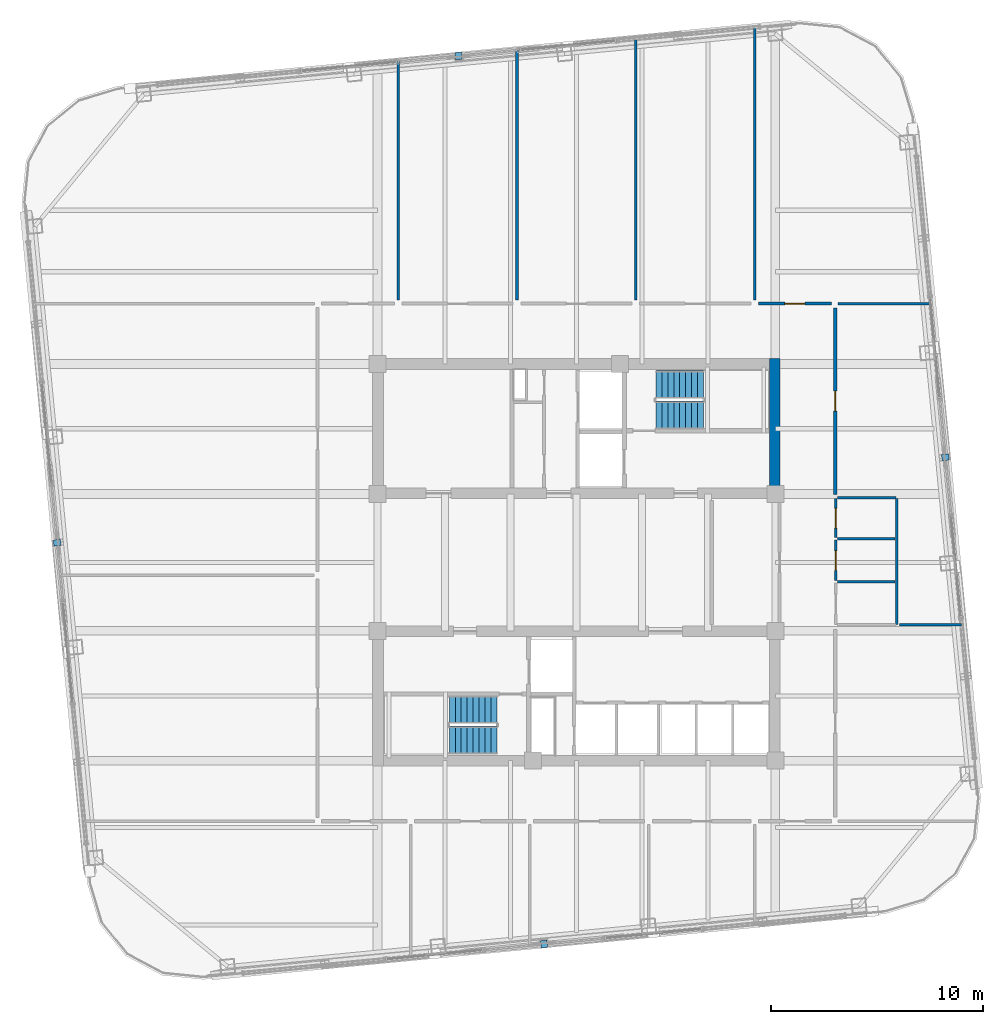
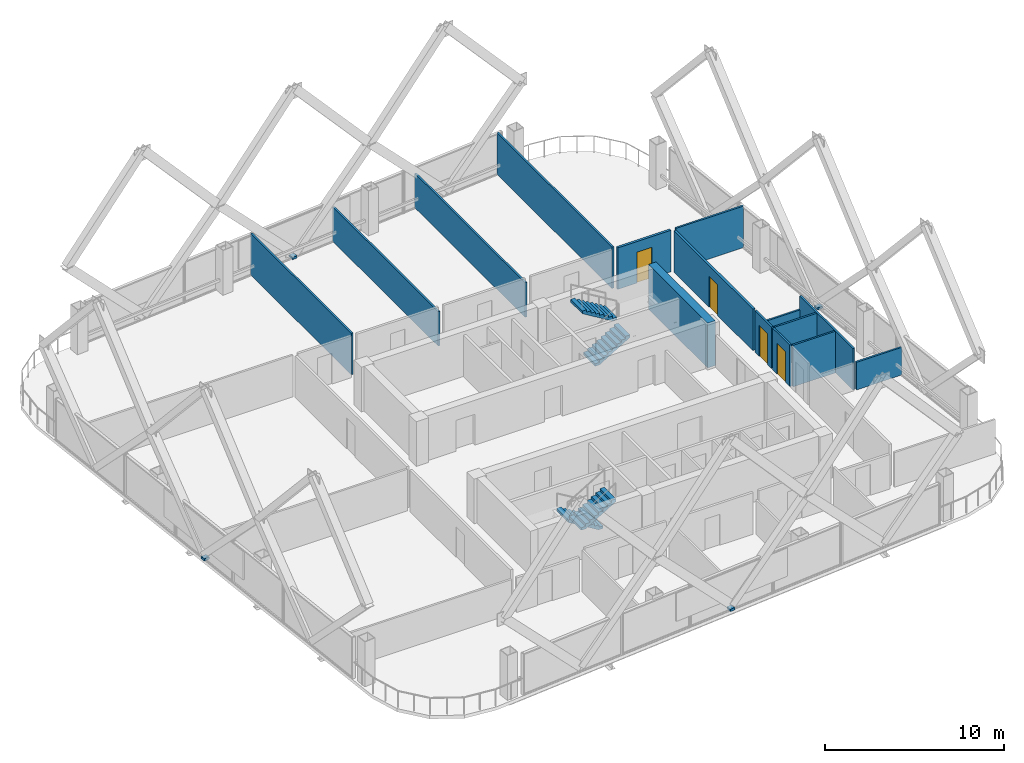
# One storey, part 31 of 34: 15 walls, 4 discrete accessories, 4 doors, 4 stair flights, 4 openings, 2 elements without a shape of their own.
"""IFC4 building model written with IfcOpenShell, lengths in metres."""

from ifc_helpers import new_model, si_unit, direction, frame, frame_2d, origin, origin_2d, place, context, subcontext, project, spatial, polyline, rectangle, outline, extrude, material, layer, layer_set, type_object, element, fill, aggregate, save


model = new_model("IFC4")

# Units and contexts
model_context = context("Model", 3, precision=1e-05, world=origin(), true_north=direction((0.0, 1.0)))
body_context = subcontext(model_context, "Body", "Model", "MODEL_VIEW")
ifc_project = project(units=[si_unit("LENGTHUNIT", "METRE"), si_unit("AREAUNIT", "SQUARE_METRE"), si_unit("VOLUMEUNIT", "CUBIC_METRE"), si_unit("PLANEANGLEUNIT", "RADIAN"), si_unit("MASSUNIT", "GRAM", prefix="KILO")], contexts=[model_context])

# Site, building, storey
site_placement = place(None, origin())
site = spatial("IfcSite", under=ifc_project, at=site_placement, CompositionType="ELEMENT")
building_placement = place(site_placement, origin())
building = spatial("IfcBuilding", under=site, at=building_placement, Name="Qhalaya Broadcast Tower", CompositionType="ELEMENT")
storey_placement = place(building_placement, frame((0.0, 0.0, 168.35009765625)))
storey = spatial("IfcBuildingStorey", under=building, at=storey_placement, Name="L49", CompositionType="ELEMENT", Elevation=168.35009765625)

# Wall, opening, door
ifc_material_1 = material(Name="Gypsum Acoustic Partition")
ifc_layer_1 = layer(ifc_material_1, 0.14990234375, Name="Gypsum Acoustic Partition")
ifc_layer_set_1 = layer_set([ifc_layer_1], Name="Gypsum Acoustic Partition")
wall_type_1 = type_object("IfcWallType", Name="Corridor & Tenancy Acoustic Partition 150", PredefinedType="PARTITIONING", material=ifc_layer_set_1)
wall_1_placement = place(storey_placement, frame((8.580078125, 12.800048828125, 0.0), z_axis=(0.0, 0.0, 1.0), x_axis=(1.0, 0.0, 0.0)))
wall_1 = element("IfcWall", 1, at=wall_1_placement, inside=storey, type_object=wall_type_1, Name="L49 Partition Wall W-COR-05", PredefinedType="PARTITIONING", context=body_context, shape_type="SweptSolid", body=[
    extrude(rectangle(XDim=3.43994140625, YDim=0.14990234375, at=frame_2d((1.719970703125, 0.0))), origin(), (0.0, 0.0, 1.0), 2.829833984375),
])
opening_1_placement = place(wall_1_placement, frame((1.2451171875, 0.0, 0.0)))
opening_1 = element("IfcOpeningElement", 2, at=opening_1_placement, cuts=wall_1, Name="Opening D10", PredefinedType="OPENING", context=body_context, shape_type="SweptSolid", body=[
    extrude(rectangle(XDim=0.949951171875, YDim=2.10009765625, at=frame_2d((0.47509765625, 1.050048828125))), frame((0.0, 0.0869140625, 0.0), z_axis=(0.0, -1.0, 0.0), x_axis=(1.0, 0.0, 0.0)), (0.0, 0.0, 1.0), 0.173828125),
])
ifc_material_2 = material(Name="Timber Veneer Acoustic Door", Category="wood")
door_type_1 = type_object("IfcDoorType", Name="Cellular Office & Edit Booth Door D10", OperationType="NOTDEFINED", PredefinedType="DOOR", material=ifc_material_2)
door_1_placement = place(opening_1_placement, origin())
door_1 = element("IfcDoor", 3, at=door_1_placement, inside=storey, type_object=door_type_1, Name="L49 Door D-RM05", OperationType="SINGLE_SWING_LEFT", OverallHeight=2.10009765625, OverallWidth=0.949951171875, PredefinedType="DOOR", context=body_context, shape_type="SweptSolid", body=[
    extrude(rectangle(XDim=0.949951171875, YDim=2.10009765625, at=frame_2d((0.47509765625, 1.050048828125))), frame((0.0, 0.02490234375, 0.0), z_axis=(0.0, -1.0, 0.0), x_axis=(1.0, 0.0, 0.0)), (0.0, 0.0, 1.0), 0.050048828125),
])
fill(opening_1, door_1)

wall_2_placement = place(storey_placement, frame((12.199951171875, 3.800048828125, 0.0), z_axis=(0.0, 0.0, 1.0), x_axis=(0.0, 1.0, 0.0)))
wall_2 = element("IfcWall", 4, at=wall_2_placement, inside=storey, type_object=wall_type_1, Name="L49 Partition Wall W-COR-14", PredefinedType="PARTITIONING", context=body_context, shape_type="SweptSolid", body=[
    extrude(rectangle(XDim=8.800048828125, YDim=0.14990234375, at=frame_2d((4.39990234375, 0.0))), origin(), (0.0, 0.0, 1.0), 2.829833984375),
])
opening_2_placement = place(wall_2_placement, frame((3.925048828125, 0.0, 0.0)))
opening_2 = element("IfcOpeningElement", 5, at=opening_2_placement, cuts=wall_2, Name="Opening D10", PredefinedType="OPENING", context=body_context, shape_type="SweptSolid", body=[
    extrude(rectangle(XDim=0.949951171875, YDim=2.10009765625, at=frame_2d((0.47509765625, 1.050048828125))), frame((0.0, 0.0869140625, 0.0), z_axis=(0.0, -1.0, 0.0), x_axis=(1.0, 0.0, 0.0)), (0.0, 0.0, 1.0), 0.173828125),
])
door_2_placement = place(opening_2_placement, origin())
door_2 = element("IfcDoor", 6, at=door_2_placement, inside=storey, type_object=door_type_1, Name="L49 Door D-RM14", OperationType="SINGLE_SWING_RIGHT", OverallHeight=2.10009765625, OverallWidth=0.949951171875, PredefinedType="DOOR", context=body_context, shape_type="SweptSolid", body=[
    extrude(rectangle(XDim=0.949951171875, YDim=2.10009765625, at=frame_2d((0.47509765625, 1.050048828125))), frame((0.0, 0.02490234375, 0.0), z_axis=(0.0, -1.0, 0.0), x_axis=(1.0, 0.0, 0.0)), (0.0, 0.0, 1.0), 0.050048828125),
])
fill(opening_2, door_2)

# Wall
ifc_material_3 = material(Name="Concrete C50/60", Category="concrete")
ifc_layer_2 = layer(ifc_material_3, 0.5, Name="Concrete C50/60")
ifc_layer_set_2 = layer_set([ifc_layer_2], Name="Concrete C50/60")
wall_type_2 = type_object("IfcWallType", Name="Mid Split-Core Shear Wall 500", PredefinedType="SHEAR", material=ifc_layer_set_2)
wall_3_placement = place(storey_placement, frame((9.35009765625, 3.60009765625, 0.0), z_axis=(0.0, 0.0, 1.0), x_axis=(0.0, 1.0, 0.0)))
element("IfcWall", 7, at=wall_3_placement, inside=storey, type_object=wall_type_2, Name="L49 Split-Core Shear Wall CW-NE", PredefinedType="SHEAR", context=body_context, shape_type="SweptSolid", body=[
    extrude(rectangle(XDim=6.599853515625, YDim=0.5, at=frame_2d((3.2998046875, 0.0))), origin(), (0.0, 0.0, 1.0), 3.0498046875),
])

# Wall, opening, door
ifc_layer_3 = layer(ifc_material_1, 0.1201171875, Name="Gypsum Acoustic Partition")
ifc_layer_set_3 = layer_set([ifc_layer_3], Name="Gypsum Acoustic Partition")
wall_type_3 = type_object("IfcWallType", Name="Office, Booth & Sanitary Partition 120", PredefinedType="PARTITIONING", material=ifc_layer_set_3)
wall_4_placement = place(storey_placement, frame((12.219970703125, -0.25, 0.0), z_axis=(0.0, 0.0, 1.0), x_axis=(0.0, 1.0, 0.0)))
wall_4 = element("IfcWall", 8, at=wall_4_placement, inside=storey, type_object=wall_type_3, Name="L49 Partition Wall W-WCWM", PredefinedType="PARTITIONING", context=body_context, shape_type="SweptSolid", body=[
    extrude(rectangle(XDim=1.89990234375, YDim=0.1201171875, at=frame_2d((0.949951171875, 0.0))), origin(), (0.0, 0.0, 1.0), 2.829833984375),
])
opening_3_placement = place(wall_4_placement, frame((0.47509765625, 0.0, 0.0)))
opening_3 = element("IfcOpeningElement", 9, at=opening_3_placement, cuts=wall_4, Name="Opening D12", PredefinedType="OPENING", context=body_context, shape_type="SweptSolid", body=[
    extrude(rectangle(XDim=0.919921875, YDim=2.10009765625, at=frame_2d((0.4599609375, 1.050048828125))), frame((0.0, 0.072021484375, 0.0), z_axis=(0.0, -1.0, 0.0), x_axis=(1.0, 0.0, 0.0)), (0.0, 0.0, 1.0), 0.14404296875),
])
door_type_2 = type_object("IfcDoorType", Name="Accessible WC & Restroom Door D12", OperationType="NOTDEFINED", PredefinedType="DOOR", material=ifc_material_2)
door_3_placement = place(opening_3_placement, origin())
door_3 = element("IfcDoor", 10, at=door_3_placement, inside=storey, type_object=door_type_2, Name="L49 Door D-WCM", OperationType="SINGLE_SWING_RIGHT", OverallHeight=2.10009765625, OverallWidth=0.919921875, PredefinedType="DOOR", context=body_context, shape_type="SweptSolid", body=[
    extrude(rectangle(XDim=0.919921875, YDim=2.10009765625, at=frame_2d((0.4599609375, 1.050048828125))), frame((0.0, 0.02490234375, 0.0), z_axis=(0.0, -1.0, 0.0), x_axis=(1.0, 0.0, 0.0)), (0.0, 0.0, 1.0), 0.050048828125),
])
fill(opening_3, door_3)

wall_5_placement = place(storey_placement, frame((12.219970703125, 1.780029296875, 0.0), z_axis=(0.0, 0.0, 1.0), x_axis=(0.0, 1.0, 0.0)))
wall_5 = element("IfcWall", 11, at=wall_5_placement, inside=storey, type_object=wall_type_3, Name="L49 Partition Wall W-WCWF", PredefinedType="PARTITIONING", context=body_context, shape_type="SweptSolid", body=[
    extrude(rectangle(XDim=1.830078125, YDim=0.1201171875, at=frame_2d((0.9150390625, 0.0))), origin(), (0.0, 0.0, 1.0), 2.829833984375),
])
opening_4_placement = place(wall_5_placement, frame((0.43994140625, 0.0, 0.0)))
opening_4 = element("IfcOpeningElement", 12, at=opening_4_placement, cuts=wall_5, Name="Opening D12", PredefinedType="OPENING", context=body_context, shape_type="SweptSolid", body=[
    extrude(rectangle(XDim=0.919921875, YDim=2.10009765625, at=frame_2d((0.4599609375, 1.050048828125))), frame((0.0, 0.072021484375, 0.0), z_axis=(0.0, -1.0, 0.0), x_axis=(1.0, 0.0, 0.0)), (0.0, 0.0, 1.0), 0.14404296875),
])
door_4_placement = place(opening_4_placement, origin())
door_4 = element("IfcDoor", 13, at=door_4_placement, inside=storey, type_object=door_type_2, Name="L49 Door D-WCF", OperationType="SINGLE_SWING_LEFT", OverallHeight=2.10009765625, OverallWidth=0.919921875, PredefinedType="DOOR", context=body_context, shape_type="SweptSolid", body=[
    extrude(rectangle(XDim=0.919921875, YDim=2.10009765625, at=frame_2d((0.4599609375, 1.050048828125))), frame((0.0, 0.02490234375, 0.0), z_axis=(0.0, -1.0, 0.0), x_axis=(1.0, 0.0, 0.0)), (0.0, 0.0, 1.0), 0.050048828125),
])
fill(opening_4, door_4)

# Walls
wall_6_placement = place(storey_placement, frame((15.10009765625, -2.320068359375, 0.0), z_axis=(0.0, 0.0, 1.0), x_axis=(0.0, 1.0, 0.0)))
element("IfcWall", 14, at=wall_6_placement, inside=storey, type_object=wall_type_3, Name="L49 Partition Wall W-WCE", PredefinedType="PARTITIONING", context=body_context, shape_type="SweptSolid", body=[
    extrude(rectangle(XDim=5.93017578125, YDim=0.1201171875, at=frame_2d((2.965087890625, 0.0))), origin(), (0.0, 0.0, 1.0), 2.829833984375),
])
wall_7_placement = place(storey_placement, frame((12.31005859375, 3.639892578125, 0.0), z_axis=(0.0, 0.0, 1.0), x_axis=(1.0, 0.0, 0.0)))
element("IfcWall", 15, at=wall_7_placement, inside=storey, type_object=wall_type_3, Name="L49 Partition Wall W-WCN", PredefinedType="PARTITIONING", context=body_context, shape_type="SweptSolid", body=[
    extrude(rectangle(XDim=2.760009765625, YDim=0.1201171875, at=frame_2d((1.3798828125, 0.0))), origin(), (0.0, 0.0, 1.0), 1.8828125),
])
for number, where, z_axis, x_axis, name in (
    (16, (12.31005859375, -0.320068359375, 0.0), (0.0, 0.0, 1.0), (1.0, 0.0, 0.0), "L49 Partition Wall W-WCD1"),
    (17, (12.31005859375, 1.719970703125, 0.0), (0.0, 0.0, 1.0), (1.0, 0.0, 0.0), "L49 Partition Wall W-WCD2"),
):
    element("IfcWall", number, at=place(storey_placement, frame(where, z_axis=z_axis, x_axis=x_axis)), inside=storey, type_object=wall_type_3, Name=name, PredefinedType="PARTITIONING", context=body_context, shape_type="SweptSolid", body=[
        extrude(rectangle(XDim=2.719970703125, YDim=0.1201171875, at=frame_2d((1.35986328125, 0.0))), origin(), (0.0, 0.0, 1.0), 2.829833984375),
    ])
wall_8_placement = place(storey_placement, frame((12.340087890625, 12.800048828125, 0.0), z_axis=(0.0, 0.0, 1.0), x_axis=(1.0, 0.0, 0.0)))
element("IfcWall", 18, at=wall_8_placement, inside=storey, type_object=wall_type_3, Name="L49 Partition Wall W-BNDE1", PredefinedType="PARTITIONING", context=body_context, shape_type="SweptSolid", body=[
    extrude(rectangle(XDim=4.35546875, YDim=0.1201171875, at=frame_2d((2.177734375, 0.0))), origin(), (0.0, 0.0, 1.0), 2.829833984375),
])
wall_9_placement = place(storey_placement, frame((-8.39990234375, 12.9599609375, 0.0), z_axis=(0.0, 0.0, 1.0), x_axis=(0.0, 1.0, 0.0)))
element("IfcWall", 19, at=wall_9_placement, inside=storey, type_object=wall_type_3, Name="L49 Partition Wall W-DIVN1", PredefinedType="PARTITIONING", context=body_context, shape_type="SweptSolid", body=[
    extrude(rectangle(XDim=11.2392578125, YDim=0.1201171875, at=frame_2d((5.61962890625, 0.0))), origin(), (0.0, 0.0, 1.0), 2.829833984375),
])
wall_10_placement = place(storey_placement, frame((-2.800048828125, 12.9599609375, 0.0), z_axis=(0.0, 0.0, 1.0), x_axis=(0.0, 1.0, 0.0)))
element("IfcWall", 20, at=wall_10_placement, inside=storey, type_object=wall_type_3, Name="L49 Partition Wall W-DIVN2", PredefinedType="PARTITIONING", context=body_context, shape_type="SweptSolid", body=[
    extrude(rectangle(XDim=11.778564453125, YDim=0.1201171875, at=frame_2d((5.88916015625, 0.0))), origin(), (0.0, 0.0, 1.0), 2.346923828125),
])
wall_11_placement = place(storey_placement, frame((2.800048828125, 12.9599609375, 0.0), z_axis=(0.0, 0.0, 1.0), x_axis=(0.0, 1.0, 0.0)))
element("IfcWall", 21, at=wall_11_placement, inside=storey, type_object=wall_type_3, Name="L49 Partition Wall W-DIVN3", PredefinedType="PARTITIONING", context=body_context, shape_type="SweptSolid", body=[
    extrude(rectangle(XDim=12.317626953125, YDim=0.1201171875, at=frame_2d((6.15869140625, 0.0))), origin(), (0.0, 0.0, 1.0), 2.346923828125),
])
wall_12_placement = place(storey_placement, frame((8.39990234375, 12.9599609375, 0.0), z_axis=(0.0, 0.0, 1.0), x_axis=(0.0, 1.0, 0.0)))
element("IfcWall", 22, at=wall_12_placement, inside=storey, type_object=wall_type_3, Name="L49 Partition Wall W-DIVN4", PredefinedType="PARTITIONING", context=body_context, shape_type="SweptSolid", body=[
    extrude(rectangle(XDim=12.85693359375, YDim=0.1201171875, at=frame_2d((6.428466796875, 0.0))), origin(), (0.0, 0.0, 1.0), 2.829833984375),
])
wall_13_placement = place(storey_placement, frame((15.239990234375, -2.35009765625, 0.0), z_axis=(0.0, 0.0, 1.0), x_axis=(1.0, 0.0, 0.0)))
element("IfcWall", 23, at=wall_13_placement, inside=storey, type_object=wall_type_3, Name="L49 Partition Wall W-DIVE-WC", PredefinedType="PARTITIONING", context=body_context, shape_type="SweptSolid", body=[
    extrude(rectangle(XDim=2.914306640625, YDim=0.1201171875, at=frame_2d((1.45703125, 0.0))), origin(), (0.0, 0.0, 1.0), 1.8828125),
])

# Stair, stair flights
ifc_material_4 = material(Name="Concrete C40/50", Category="concrete")
stair_type = type_object("IfcStairType", Name="Protected Dogleg Core Stair 3150", PredefinedType="TWO_STRAIGHT_RUN_STAIR", material=ifc_material_4)
stair_1_placement = place(storey_placement, origin())
stair_1 = element("IfcStair", 24, at=stair_1_placement, inside=storey, type_object=stair_type, Name="L49 North Core Exit Stair ST-1", PredefinedType="TWO_STRAIGHT_RUN_STAIR")
ifc_material_5 = material(Name="Precast Concrete C40/50", Category="concrete")
stair_flight_type = type_object("IfcStairFlightType", Name="Precast Concrete Stair Flight 3150", PredefinedType="STRAIGHT", material=ifc_material_5)
stair_flight_1_placement = place(storey_placement, frame((3.75, 7.5400390625, 0.0), z_axis=(0.0, 0.0, 1.0), x_axis=(1.0, 0.0, 0.0)))
stair_flight_1 = element("IfcStairFlight", 25, at=stair_flight_1_placement, type_object=stair_flight_type, Name="ST-1 flight 1", NumberOfRisers=9, NumberOfTreads=8, PredefinedType="STRAIGHT", RiserHeight=0.169444444, TreadLength=0.28, context=body_context, shape_type="SweptSolid", body=[
    extrude(outline(polyline([(0.0, 0.0), (0.0, 0.16943359375), (0.280029296875, 0.16943359375), (0.280029296875, 0.3388671875), (0.56005859375, 0.3388671875), (0.56005859375, 0.50830078125), (0.840087890625, 0.50830078125), (0.840087890625, 0.677734375), (1.1201171875, 0.677734375), (1.1201171875, 0.84716796875), (1.39990234375, 0.84716796875), (1.39990234375, 1.0166015625), (1.679931640625, 1.0166015625), (1.679931640625, 1.18603515625), (1.9599609375, 1.18603515625), (1.9599609375, 1.35546875), (2.239990234375, 1.35546875), (2.239990234375, 1.52490234375), (2.239990234375, 1.180419921875), (0.28955078125, 0.0), (0.0, 0.0)])), frame((0.0, 0.66015625, 0.0), z_axis=(0.0, -1.0, 0.0), x_axis=(1.0, 0.0, 0.0)), (0.0, 0.0, 1.0), 1.320068359375),
])
stair_flight_2_placement = place(storey_placement, frame((5.989990234375, 8.97998046875, 1.52490234375), z_axis=(0.0, 0.0, 1.0), x_axis=(-1.0, 0.0, 0.0)))
stair_flight_2 = element("IfcStairFlight", 26, at=stair_flight_2_placement, type_object=stair_flight_type, Name="ST-1 flight 2", NumberOfRisers=9, NumberOfTreads=8, PredefinedType="STRAIGHT", RiserHeight=0.169444444, TreadLength=0.28, context=body_context, shape_type="SweptSolid", body=[
    extrude(outline(polyline([(0.0, 0.0), (0.0, 0.16943359375), (0.280029296875, 0.16943359375), (0.280029296875, 0.3388671875), (0.56005859375, 0.3388671875), (0.56005859375, 0.50830078125), (0.840087890625, 0.50830078125), (0.840087890625, 0.677734375), (1.1201171875, 0.677734375), (1.1201171875, 0.84716796875), (1.39990234375, 0.84716796875), (1.39990234375, 1.0166015625), (1.679931640625, 1.0166015625), (1.679931640625, 1.18603515625), (1.9599609375, 1.18603515625), (1.9599609375, 1.35546875), (2.239990234375, 1.35546875), (2.239990234375, 1.52490234375), (2.239990234375, 1.180419921875), (0.28955078125, 0.0), (0.0, 0.0)])), frame((0.0, 0.66015625, 0.0), z_axis=(0.0, -1.0, 0.0), x_axis=(1.0, 0.0, 0.0)), (0.0, 0.0, 1.0), 1.320068359375),
])
aggregate(stair_1, [stair_flight_1, stair_flight_2])

stair_2_placement = place(storey_placement, origin())
stair_2 = element("IfcStair", 27, at=stair_2_placement, inside=storey, type_object=stair_type, Name="L49 South Core Exit Stair ST-2", PredefinedType="TWO_STRAIGHT_RUN_STAIR")
stair_flight_3_placement = place(storey_placement, frame((-3.75, -6.340087890625, 0.0), z_axis=(0.0, 0.0, 1.0), x_axis=(-1.0, 0.0, 0.0)))
stair_flight_3 = element("IfcStairFlight", 28, at=stair_flight_3_placement, type_object=stair_flight_type, Name="ST-2 flight 1", NumberOfRisers=9, NumberOfTreads=8, PredefinedType="STRAIGHT", RiserHeight=0.169444444, TreadLength=0.28, context=body_context, shape_type="SweptSolid", body=[
    extrude(outline(polyline([(0.0, 0.0), (0.0, 0.16943359375), (0.280029296875, 0.16943359375), (0.280029296875, 0.3388671875), (0.56005859375, 0.3388671875), (0.56005859375, 0.50830078125), (0.840087890625, 0.50830078125), (0.840087890625, 0.677734375), (1.1201171875, 0.677734375), (1.1201171875, 0.84716796875), (1.39990234375, 0.84716796875), (1.39990234375, 1.0166015625), (1.679931640625, 1.0166015625), (1.679931640625, 1.18603515625), (1.9599609375, 1.18603515625), (1.9599609375, 1.35546875), (2.239990234375, 1.35546875), (2.239990234375, 1.52490234375), (2.239990234375, 1.180419921875), (0.28955078125, 0.0), (0.0, 0.0)])), frame((0.0, 0.66015625, 0.0), z_axis=(0.0, -1.0, 0.0), x_axis=(1.0, 0.0, 0.0)), (0.0, 0.0, 1.0), 1.320068359375),
])
stair_flight_4_placement = place(storey_placement, frame((-5.989990234375, -7.780029296875, 1.52490234375), z_axis=(0.0, 0.0, 1.0), x_axis=(1.0, 0.0, 0.0)))
stair_flight_4 = element("IfcStairFlight", 29, at=stair_flight_4_placement, type_object=stair_flight_type, Name="ST-2 flight 2", NumberOfRisers=9, NumberOfTreads=8, PredefinedType="STRAIGHT", RiserHeight=0.169444444, TreadLength=0.28, context=body_context, shape_type="SweptSolid", body=[
    extrude(outline(polyline([(0.0, 0.0), (0.0, 0.16943359375), (0.280029296875, 0.16943359375), (0.280029296875, 0.3388671875), (0.56005859375, 0.3388671875), (0.56005859375, 0.50830078125), (0.840087890625, 0.50830078125), (0.840087890625, 0.677734375), (1.1201171875, 0.677734375), (1.1201171875, 0.84716796875), (1.39990234375, 0.84716796875), (1.39990234375, 1.0166015625), (1.679931640625, 1.0166015625), (1.679931640625, 1.18603515625), (1.9599609375, 1.18603515625), (1.9599609375, 1.35546875), (2.239990234375, 1.35546875), (2.239990234375, 1.52490234375), (2.239990234375, 1.180419921875), (0.28955078125, 0.0), (0.0, 0.0)])), frame((0.0, 0.66015625, 0.0), z_axis=(0.0, -1.0, 0.0), x_axis=(1.0, 0.0, 0.0)), (0.0, 0.0, 1.0), 1.320068359375),
])
aggregate(stair_2, [stair_flight_3, stair_flight_4])

# Discrete accessories
ifc_material_6 = material(Name="Structural Steel ASTM A572 Grade 50", Category="steel")
discrete_accessory_type = type_object("IfcDiscreteAccessoryType", Name="Facade Baguette Support Bracket BRK-01", PredefinedType="BRACKET", material=ifc_material_6)
for number, where, z_axis, x_axis, name in (
    (30, (-1.5244140625, -17.393310546875, 0.0), (0.0, 0.0, 1.0), (0.995396198367, 0.09584575252, 0.0), "L49 Baguette Support Bracket S"),
    (31, (17.393310546875, 5.5556640625, 0.0), (0.0, 0.0, 1.0), (-0.09584575252, 0.995396198367, 0.0), "L49 Baguette Support Bracket E"),
    (32, (-5.5556640625, 24.47314453125, 0.0), (0.0, 0.0, 1.0), (-0.995396198367, -0.09584575252, 0.0), "L49 Baguette Support Bracket N"),
    (33, (-24.47314453125, 1.5244140625, 0.0), (0.0, 0.0, 1.0), (0.09584575252, -0.995396198367, 0.0), "L49 Baguette Support Bracket W"),
):
    element("IfcDiscreteAccessory", number, at=place(storey_placement, frame(where, z_axis=z_axis, x_axis=x_axis)), inside=storey, type_object=discrete_accessory_type, Name=name, PredefinedType="BRACKET", context=body_context, shape_type="SweptSolid", body=[
        extrude(rectangle(XDim=0.300048828125, YDim=0.340087890625, at=origin_2d()), origin(), (0.0, 0.0, 1.0), 0.159912109375),
    ])

save(model, "model.ifc")
